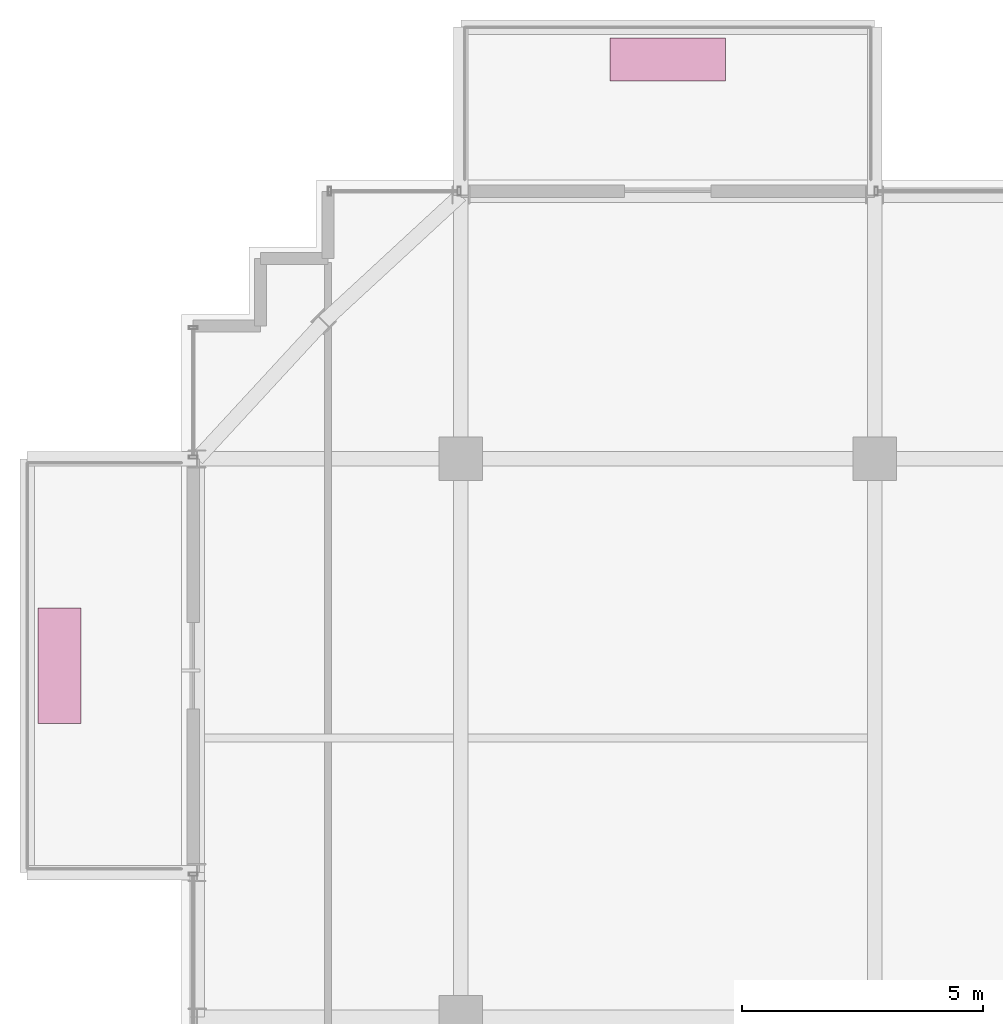
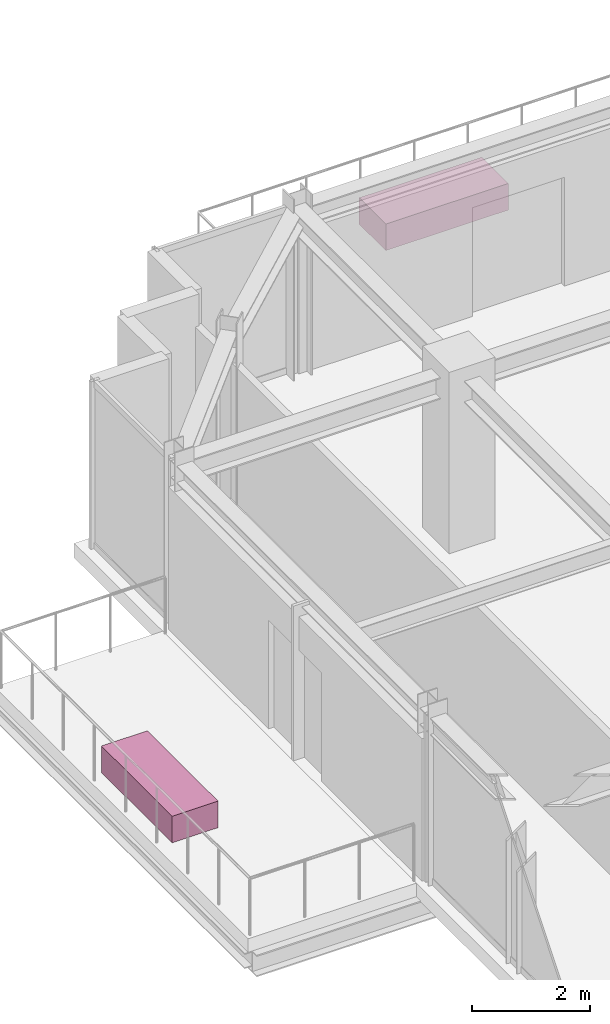
# One storey, part 34 of 34: 2 furnishings.
"""IFC4 building model written with IfcOpenShell, lengths in metres."""

from ifc_helpers import new_model, si_unit, direction, frame, origin, origin_2d, place, context, subcontext, project, spatial, rectangle, extrude, source, transform, mapped, material, type_object, element, save


model = new_model("IFC4")

# Units and contexts
model_context = context("Model", 3, precision=1e-05, world=origin(), true_north=direction((0.0, 1.0)))
body_context = subcontext(model_context, "Body", "Model", "MODEL_VIEW")
ifc_project = project(units=[si_unit("LENGTHUNIT", "METRE"), si_unit("AREAUNIT", "SQUARE_METRE"), si_unit("VOLUMEUNIT", "CUBIC_METRE"), si_unit("PLANEANGLEUNIT", "RADIAN"), si_unit("MASSUNIT", "GRAM", prefix="KILO")], contexts=[model_context])

# Site, building, storey
site_placement = place(None, origin())
site = spatial("IfcSite", under=ifc_project, at=site_placement, CompositionType="ELEMENT")
building_placement = place(site_placement, origin())
building = spatial("IfcBuilding", under=site, at=building_placement, Name="Nahalor Promenade Grand Hotel", CompositionType="ELEMENT")
storey_placement = place(building_placement, frame((0.0, 0.0, 334.75)))
storey = spatial("IfcBuildingStorey", under=building, at=storey_placement, Name="L86", CompositionType="ELEMENT", Elevation=334.75)

# Furnishings
ifc_material = material(Name="Vegetated Volcanic-Lapilli Tree Planter", Category="earth")
furnishing_element_type = type_object("IfcFurnishingElementType", Name="Planter-VerticalForest-Box", material=ifc_material)
shared_shape = source(origin(), body_context, "Body", "SweptSolid", [
    extrude(rectangle(XDim=2.39990234375, YDim=0.89990234375, at=origin_2d()), origin(), (0.0, 0.0, 1.0), 0.550048828125),
])
for number, where, z_axis, x_axis, name in (
    (1, (-12.699951171875, 25.300048828125, 0.0), (0.0, 0.0, 1.0), (1.0, 0.0, 0.0), "L86 Balcony Structural Tree Planter 1"),
    (2, (-25.340087890625, 12.699951171875, 0.0), (0.0, 0.0, 1.0), (0.0, 1.0, 0.0), "L86 Balcony Structural Tree Planter 2"),
):
    element("IfcFurnishingElement", number, at=place(storey_placement, frame(where, z_axis=z_axis, x_axis=x_axis)), inside=storey, type_object=furnishing_element_type, Name=name, ObjectType="PLANTER", context=body_context, shape_type="MappedRepresentation", body=[
        mapped(shared_shape, transform((0.0, 0.0, 0.0), scale=1.0)),
    ])

save(model, "model.ifc")
